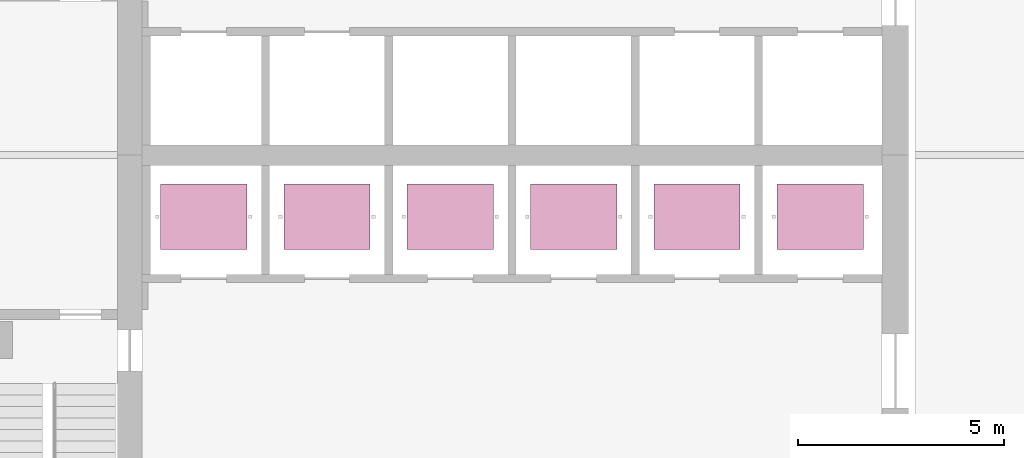
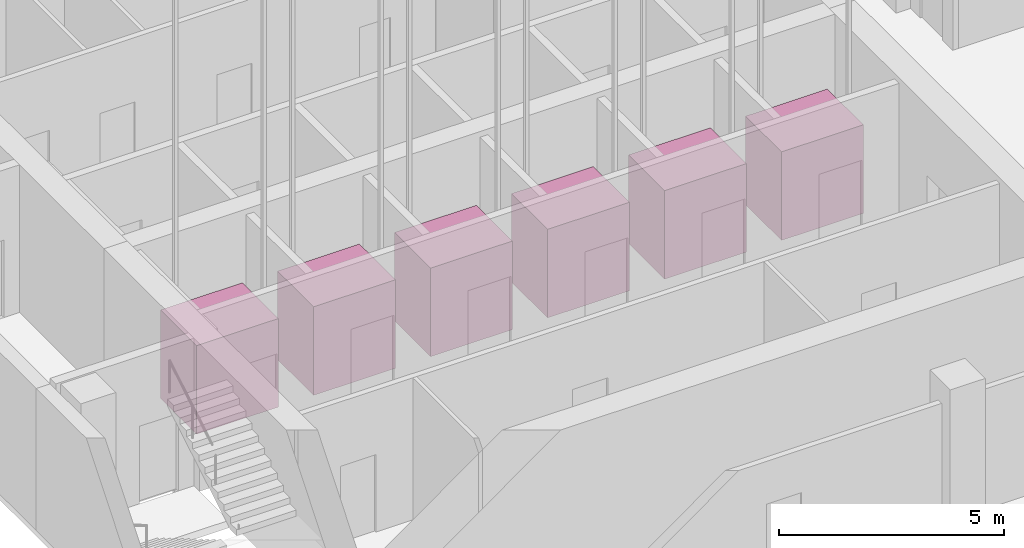
# One storey, part 29 of 29: 6 transport elements.
"""IFC4 building model written with IfcOpenShell, lengths in metres."""

import ifcopenshell
import ifcopenshell.guid

model = None  # the IFC model being written
_history = None  # IfcOwnerHistory: only IFC2X3 demands one
_inside = {}  # id of a spatial element -> (the spatial element, [elements in it])
_under = {}  # id of a project, library or spatial element -> (it, [spatial elements below it])
_declared = {}  # id of a project -> (the project, [libraries it declares])
_typed = {}  # id of a type object -> (the type object, [elements of that type])
_made_of = {}  # id of a material, layer set ... -> (it, [elements and type objects made of it])


def new_model(schema):
    """Start an empty IFC model of exactly this schema.

    Asked for "IFC4X3", IfcOpenShell would pick the latest addendum, in which some entities
    have other attributes; the version numbers below select the first issue.
    IFC2X3 requires an IfcOwnerHistory on every rooted entity: one is made here for all.
    """
    global model, _history
    if schema == "IFC4X3":
        model = ifcopenshell.file(schema_version=(4, 3, 0, 0))
    else:
        model = ifcopenshell.file(schema=schema)
    _inside.clear()
    _under.clear()
    _declared.clear()
    _typed.clear()
    _made_of.clear()
    _history = None
    if model.schema == "IFC2X3":
        org = make("IfcOrganization", Name="unknown")
        user = make(
            "IfcPersonAndOrganization",
            ThePerson=make("IfcPerson", FamilyName="unknown"),
            TheOrganization=org,
        )
        app = make(
            "IfcApplication",
            ApplicationDeveloper=org,
            Version="unknown",
            ApplicationFullName="unknown",
            ApplicationIdentifier="unknown",
        )
        _history = make(
            "IfcOwnerHistory",
            OwningUser=user,
            OwningApplication=app,
            ChangeAction="ADDED",
            CreationDate=0,
        )
    return model


def make(cls, **values):
    """One entity of the class cls with the attributes given. An attribute that is None is left unset."""
    return model.create_entity(
        cls, **{name: value for name, value in values.items() if value is not None}
    )


def rooted(cls, **values):
    """An entity with a GlobalId (a new one), such as an element, a storey or a relation."""
    return make(cls, GlobalId=ifcopenshell.guid.new(), OwnerHistory=_history, **values)


def si_unit(unit_type, name, prefix=None):
    """IfcSIUnit, for example si_unit("LENGTHUNIT", "METRE", prefix="MILLI")."""
    return make("IfcSIUnit", UnitType=unit_type, Prefix=prefix, Name=name)


def assignment(units):
    """IfcUnitAssignment: the units of a project."""
    return None if units is None else make("IfcUnitAssignment", Units=units)


def point(xyz):
    """IfcCartesianPoint."""
    return None if xyz is None else make("IfcCartesianPoint", Coordinates=xyz)


def direction(xyz):
    """IfcDirection."""
    return None if xyz is None else make("IfcDirection", DirectionRatios=xyz)


def frame(location, z_axis=None, x_axis=None):
    """IfcAxis2Placement3D, a coordinate frame: its origin and axes. An axis left out is left unset."""
    return make(
        "IfcAxis2Placement3D",
        Location=point(location),
        Axis=direction(z_axis),
        RefDirection=direction(x_axis),
    )


def frame_2d(location, x_axis=None):
    """IfcAxis2Placement2D, a coordinate frame in the plane: its origin and x axis."""
    return make(
        "IfcAxis2Placement2D", Location=point(location), RefDirection=direction(x_axis)
    )


def origin():
    """The frame at (0, 0, 0) with its axes left unset."""
    return frame((0.0, 0.0, 0.0))


def origin_2d():
    """The frame at (0, 0) in the plane with its x axis left unset."""
    return frame_2d((0.0, 0.0))


def place(relative_to, where):
    """IfcLocalPlacement: puts the frame where relative to a parent placement (None: the world)."""
    return make(
        "IfcLocalPlacement", PlacementRelTo=relative_to, RelativePlacement=where
    )


def context(
    kind, dimensions, precision=None, world=None, true_north=None, identifier=None
):
    """IfcGeometricRepresentationContext, for example the 3D "Model" context."""
    return make(
        "IfcGeometricRepresentationContext",
        ContextIdentifier=identifier,
        ContextType=kind,
        CoordinateSpaceDimension=dimensions,
        Precision=precision,
        WorldCoordinateSystem=world,
        TrueNorth=true_north,
    )


def subcontext(parent, identifier, kind, view, scale=None):
    """IfcGeometricRepresentationSubContext, for example "Body" below "Model"."""
    return make(
        "IfcGeometricRepresentationSubContext",
        ContextIdentifier=identifier,
        ContextType=kind,
        ParentContext=parent,
        TargetScale=scale,
        TargetView=view,
    )


def project(units=None, contexts=None):
    """IfcProject with its units and contexts."""
    return rooted(
        "IfcProject",
        Name="project",
        RepresentationContexts=contexts,
        UnitsInContext=assignment(units),
    )


def spatial(cls, under=None, at=None, **own):
    """A site, building, storey or space (cls), placed at a placement, below another one or the project."""
    s = rooted(cls, ObjectPlacement=at, **own)
    if under is not None:
        _under.setdefault(under.id(), (under, []))[1].append(s)
    return s


def profile(cls, at=None, kind="AREA", **sizes):
    """A parametric profile (cls). Its sizes go by their IFC names, for example OverallWidth=200.0."""
    return make(cls, ProfileType=kind, Position=at, **sizes)


def rectangle(**sizes):
    """IfcRectangleProfileDef."""
    return profile("IfcRectangleProfileDef", **sizes)


def extrude(swept, where, along, depth):
    """IfcExtrudedAreaSolid: the profile swept, set in the frame where, extruded along a direction by depth."""
    return make(
        "IfcExtrudedAreaSolid",
        SweptArea=swept,
        Position=where,
        ExtrudedDirection=direction(along),
        Depth=depth,
    )


def shape(context_of_items, identifier, shape_type, items):
    """IfcShapeRepresentation: the items that make up one representation, for example the "Body"."""
    return make(
        "IfcShapeRepresentation",
        ContextOfItems=context_of_items,
        RepresentationIdentifier=identifier,
        RepresentationType=shape_type,
        Items=items,
    )


def material(Name=None, Category=None):
    """IfcMaterial."""
    return make("IfcMaterial", Name=Name, Category=Category)


def made_of(thing, what):
    """Note that an element or type object is made of a material, layer set ...; save() writes the relation."""
    if what is not None:
        _made_of.setdefault(what.id(), (what, []))[1].append(thing)
    return thing


def type_object(cls, material=None, **own):
    """A type object (cls), such as IfcWallType, which elements share."""
    return made_of(rooted(cls, **own), material)


def element(
    cls,
    number,
    at=None,
    inside=None,
    cuts=None,
    type_object=None,
    material=None,
    context=None,
    identifier="Body",
    shape_type=None,
    held_by="IfcProductDefinitionShape",
    body=None,
    shapes=None,
    **own,
):
    """One element of the class cls, such as IfcWall. Its Tag is "e" and its number.

    at: its placement. inside: the storey or other place that contains it. cuts: it is an
    opening in that element (IfcRelVoidsElement). A single representation is given by context,
    identifier, shape_type and body (its items); several are given by shapes. held_by: the class
    of the entity that holds the representations. save() writes the other relations.
    """
    e = rooted(cls, Tag="e%d" % number, ObjectPlacement=at, **own)
    if body is not None:
        shapes = [shape(context, identifier, shape_type, body)]
    if shapes is not None:
        e.Representation = make(held_by, Representations=shapes)
    if inside is not None:
        _inside.setdefault(inside.id(), (inside, []))[1].append(e)
    if cuts is not None:
        rooted(
            "IfcRelVoidsElement", RelatingBuildingElement=cuts, RelatedOpeningElement=e
        )
    if type_object is not None:
        _typed.setdefault(type_object.id(), (type_object, []))[1].append(e)
    return made_of(e, material)


def aggregate(whole, parts):
    """IfcRelAggregates: a whole, such as a stair, and the parts it consists of."""
    return rooted("IfcRelAggregates", RelatingObject=whole, RelatedObjects=parts)


def save(model, path):
    """Write the relations noted so far, then the file.

    IfcRelAggregates (storeys below a building ...), IfcRelContainedInSpatialStructure (elements
    in a storey), IfcRelDefinesByType, IfcRelAssociatesMaterial and IfcRelDeclares: one each for
    every whole, place, type object, material and project.
    """
    for whole, parts in _under.values():
        aggregate(whole, parts)
    for where, things in _inside.values():
        rooted(
            "IfcRelContainedInSpatialStructure",
            RelatedElements=things,
            RelatingStructure=where,
        )
    for kind, things in _typed.values():
        rooted("IfcRelDefinesByType", RelatedObjects=things, RelatingType=kind)
    for what, things in _made_of.values():
        rooted("IfcRelAssociatesMaterial", RelatedObjects=things, RelatingMaterial=what)
    for by, libraries in _declared.values():
        rooted("IfcRelDeclares", RelatingContext=by, RelatedDefinitions=libraries)
    model.write(path)


model = new_model("IFC4")

# Units and contexts
model_context = context("Model", 3, precision=1e-05, world=origin(), true_north=direction((0.0, 1.0)))
body_context = subcontext(model_context, "Body", "Model", "MODEL_VIEW")
ifc_project = project(units=[si_unit("LENGTHUNIT", "METRE"), si_unit("AREAUNIT", "SQUARE_METRE"), si_unit("VOLUMEUNIT", "CUBIC_METRE"), si_unit("PLANEANGLEUNIT", "RADIAN"), si_unit("MASSUNIT", "GRAM", prefix="KILO")], contexts=[model_context])

# Site, building, storey
site_placement = place(None, origin())
site = spatial("IfcSite", under=ifc_project, at=site_placement, CompositionType="ELEMENT")
building_placement = place(site_placement, origin())
building = spatial("IfcBuilding", under=site, at=building_placement, Name="Cinnabar Reach Civic Tower", CompositionType="ELEMENT")
storey_placement = place(building_placement, frame((0.0, 0.0, 149.0)))
storey = spatial("IfcBuildingStorey", under=building, at=storey_placement, Name="L35", CompositionType="ELEMENT", Elevation=149.0)

# Transport elements
ifc_material = material(Name="Stainless steel car", Category="steel")
transport_element_type = type_object("IfcTransportElementType", Name="T1 lift car 2100 x 1600", PredefinedType="ELEVATOR", material=ifc_material)
for number, where, z_axis, x_axis, name in (
    (1, (6.0, 30.0, 0.0), (0.0, 0.0, 1.0), (1.0, 0.0, 0.0), "T1-HR1"),
    (2, (9.0, 30.0, 0.0), (0.0, 0.0, 1.0), (1.0, 0.0, 0.0), "T1-HR2"),
    (3, (12.0, 30.0, 0.0), (0.0, 0.0, 1.0), (1.0, 0.0, 0.0), "T1-HR3"),
    (4, (15.0, 30.0, 0.0), (0.0, 0.0, 1.0), (1.0, 0.0, 0.0), "T1-HR4"),
    (5, (18.0, 30.0, 0.0), (0.0, 0.0, 1.0), (1.0, 0.0, 0.0), "T1-HR5"),
    (6, (21.0, 30.0, 0.0), (0.0, 0.0, 1.0), (1.0, 0.0, 0.0), "T1-HR6"),
):
    element("IfcTransportElement", number, at=place(storey_placement, frame(where, z_axis=z_axis, x_axis=x_axis)), inside=storey, type_object=transport_element_type, Name=name, PredefinedType="ELEVATOR", context=body_context, shape_type="SweptSolid", body=[
        extrude(rectangle(XDim=2.1, YDim=1.6, at=origin_2d()), origin(), (0.0, 0.0, 1.0), 2.4),
    ])

save(model, "model.ifc")
